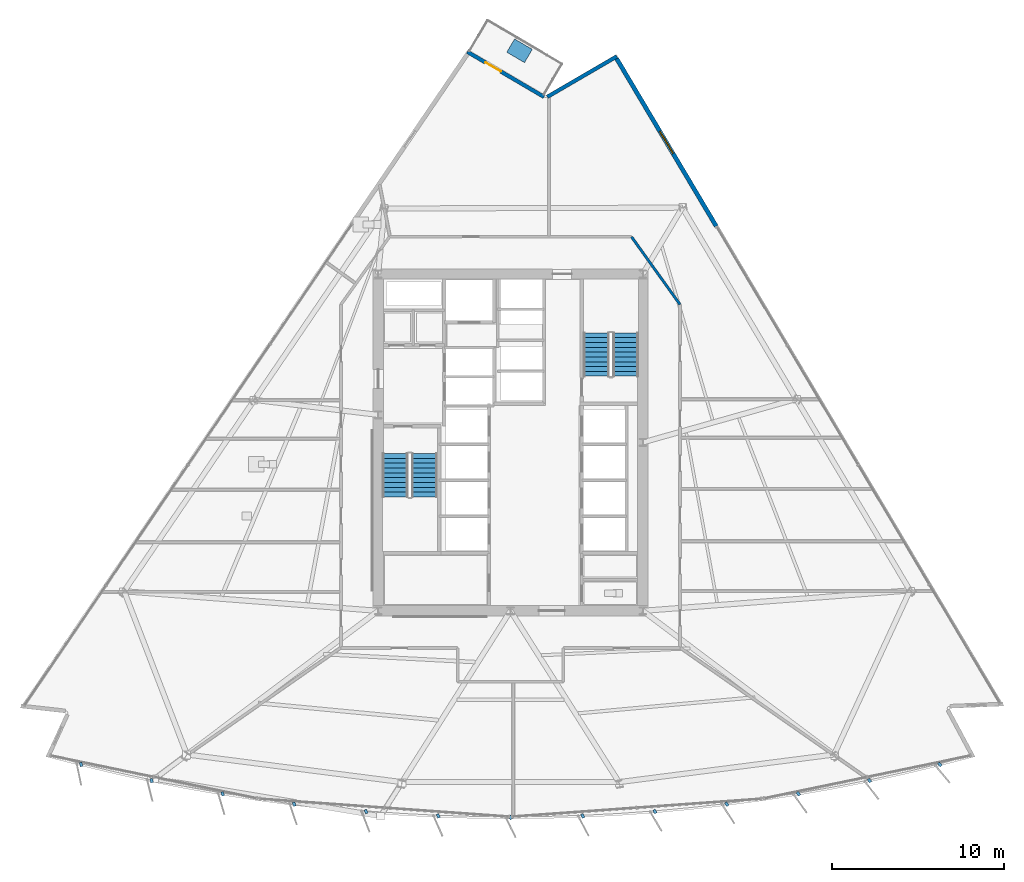
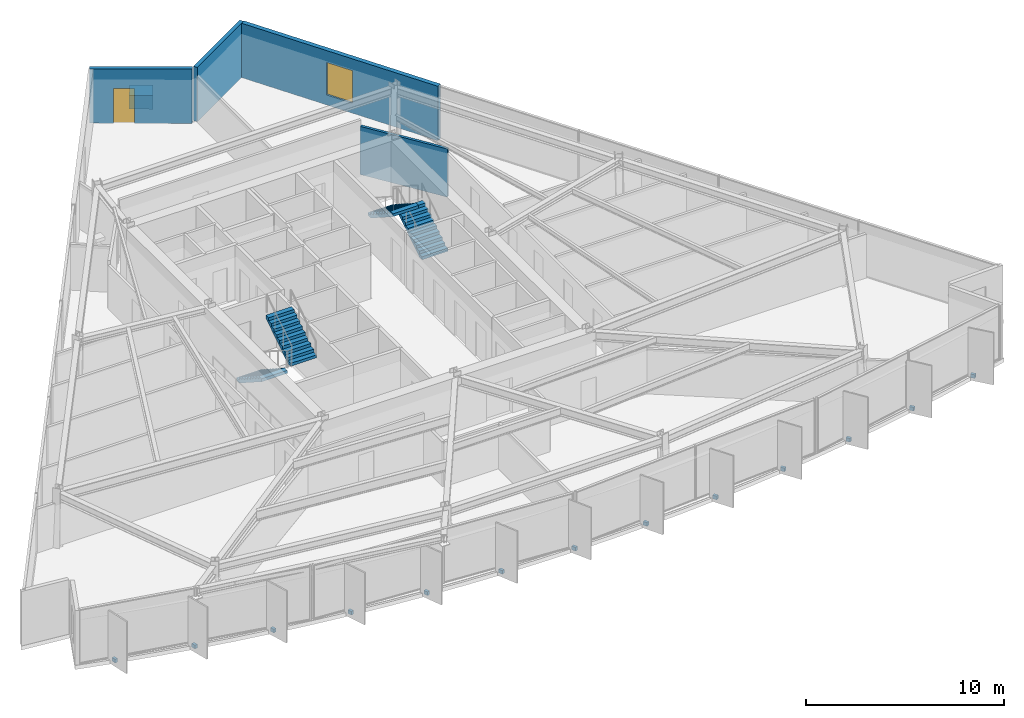
# One storey, part 10 of 15: 14 discrete accessories, 4 stair flights, 4 walls, 1 door, 1 window, 2 openings, 2 elements without a shape of their own.
"""IFC4 building model written with IfcOpenShell, lengths in metres."""

from ifc_helpers import new_model, si_unit, direction, frame, frame_2d, origin, origin_2d, place, context, subcontext, project, spatial, polyline, rectangle, outline, extrude, material, layer, layer_set, type_object, element, fill, aggregate, save


model = new_model("IFC4")

# Units and contexts
model_context = context("Model", 3, precision=1e-05, world=origin(), true_north=direction((0.0, 1.0)))
body_context = subcontext(model_context, "Body", "Model", "MODEL_VIEW")
ifc_project = project(units=[si_unit("LENGTHUNIT", "METRE"), si_unit("AREAUNIT", "SQUARE_METRE"), si_unit("VOLUMEUNIT", "CUBIC_METRE"), si_unit("PLANEANGLEUNIT", "RADIAN"), si_unit("MASSUNIT", "GRAM", prefix="KILO")], contexts=[model_context])

# Site, building, storey
site_placement = place(None, origin())
site = spatial("IfcSite", under=ifc_project, at=site_placement, CompositionType="ELEMENT")
building_placement = place(site_placement, origin())
building = spatial("IfcBuilding", under=site, at=building_placement, Name="Savorim Split Tower", CompositionType="ELEMENT")
storey_placement = place(building_placement, frame((0.0, 0.0, 100.5)))
storey = spatial("IfcBuildingStorey", under=building, at=storey_placement, Name="L26", CompositionType="ELEMENT", Elevation=100.5)

# Wall
ifc_material_1 = material(Name="Precast concrete C40/50", Category="concrete")
ifc_layer_1 = layer(ifc_material_1, 0.219970703125)
ifc_layer_set_1 = layer_set([ifc_layer_1], Name="WAL-EXT-CRN220")
wall_type_1 = type_object("IfcWallType", Name="WAL-EXT-CRN220", PredefinedType="SOLIDWALL", material=ifc_layer_set_1)
wall_1_placement = place(storey_placement, frame((2.141845703125, 20.502197265625, 0.0), z_axis=(0.0, 0.0, 1.0), x_axis=(0.863981097269, 0.503524243272, 0.0)))
element("IfcWall", 1, at=wall_1_placement, inside=storey, type_object=wall_type_1, Name="L26 Notched Corner Facade Wall NE1", PredefinedType="SOLIDWALL", context=body_context, shape_type="SweptSolid", body=[
    extrude(rectangle(XDim=4.684326171875, YDim=0.219970703125, at=frame_2d((2.34228515625, 0.0))), origin(), (0.0, 0.0, 1.0), 3.35009765625),
])

# Wall, opening, door
wall_2_placement = place(storey_placement, frame((-2.509521484375, 23.12451171875, 0.0), z_axis=(0.0, 0.0, 1.0), x_axis=(0.862103972413, -0.506731428618, 0.0)))
wall_2 = element("IfcWall", 2, at=wall_2_placement, inside=storey, type_object=wall_type_1, Name="L26 Notched Corner Facade Wall N", PredefinedType="SOLIDWALL", context=body_context, shape_type="SweptSolid", body=[
    extrude(rectangle(XDim=5.174560546875, YDim=0.219970703125, at=frame_2d((2.58740234375, 0.0))), origin(), (0.0, 0.0, 1.0), 3.35009765625),
])
opening_1_placement = place(wall_2_placement, frame((1.21240234375, 0.0, 0.0)))
opening_1 = element("IfcOpeningElement", 3, at=opening_1_placement, cuts=wall_2, Name="Opening DB-01", PredefinedType="OPENING", context=body_context, shape_type="SweptSolid", body=[
    extrude(rectangle(XDim=1.050048828125, YDim=2.14990234375, at=frame_2d((0.52490234375, 1.074951171875))), frame((0.0, 0.119873046875, 0.0), z_axis=(0.0, -1.0, 0.0), x_axis=(1.0, 0.0, 0.0)), (0.0, 0.0, 1.0), 0.239990234375),
])
ifc_material_2 = material(Name="Charcoal Anodised Aluminium", Category="aluminium")
door_type = type_object("IfcDoorType", Name="DOR-BAL-1050", OperationType="NOTDEFINED", PredefinedType="DOOR", material=ifc_material_2)
door_placement = place(opening_1_placement, origin())
door = element("IfcDoor", 4, at=door_placement, inside=storey, type_object=door_type, Name="DOR-L26-TBAL-N - L26 Planted Tree Balcony Door N", OperationType="SINGLE_SWING_LEFT", OverallHeight=2.14990234375, OverallWidth=1.050048828125, PredefinedType="DOOR", context=body_context, shape_type="SweptSolid", body=[
    extrude(rectangle(XDim=1.050048828125, YDim=2.14990234375, at=frame_2d((0.52490234375, 1.074951171875))), frame((0.0, 0.02490234375, 0.0), z_axis=(0.0, -1.0, 0.0), x_axis=(1.0, 0.0, 0.0)), (0.0, 0.0, 1.0), 0.050048828125),
])
fill(opening_1, door)

# Wall, opening, window
ifc_layer_2 = layer(ifc_material_1, 0.25)
ifc_layer_set_2 = layer_set([ifc_layer_2], Name="WAL-EXT-SPN250")
wall_type_2 = type_object("IfcWallType", Name="WAL-EXT-SPN250", PredefinedType="SOLIDWALL", material=ifc_layer_set_2)
wall_3_placement = place(storey_placement, frame((6.17236328125, 22.734130859375, 0.0), z_axis=(0.0, 0.0, 1.0), x_axis=(0.511105869751, -0.859517765905, 0.0)))
wall_3 = element("IfcWall", 5, at=wall_3_placement, inside=storey, type_object=wall_type_2, Name="L26 East Operable Window Pier", PredefinedType="SOLIDWALL", context=body_context, shape_type="SweptSolid", body=[
    extrude(rectangle(XDim=11.356689453125, YDim=0.25, at=frame_2d((5.67822265625, 0.0))), origin(), (0.0, 0.0, 1.0), 3.35009765625),
])
opening_2_placement = place(wall_3_placement, frame((4.928466796875, 0.0, 0.6201171875)))
opening_2 = element("IfcOpeningElement", 6, at=opening_2_placement, cuts=wall_3, Name="Opening WN-06", PredefinedType="OPENING", context=body_context, shape_type="SweptSolid", body=[
    extrude(rectangle(XDim=1.5, YDim=2.0, at=frame_2d((0.75, 1.0))), frame((0.0, 0.135009765625, 0.0), z_axis=(0.0, -1.0, 0.0), x_axis=(1.0, 0.0, 0.0)), (0.0, 0.0, 1.0), 0.27001953125),
])
ifc_material_3 = material(Name="Low-E Operable Double Glazing", Category="glass")
window_type = type_object("IfcWindowType", Name="WIN-TWR-1500x2000", PartitioningType="SINGLE_PANEL", PredefinedType="WINDOW", material=ifc_material_3)
window_placement = place(opening_2_placement, origin())
window = element("IfcWindow", 7, at=window_placement, inside=storey, type_object=window_type, Name="L26 East Operable Ventilation Window", OverallHeight=2.0, OverallWidth=1.5, PartitioningType="SINGLE_PANEL", PredefinedType="WINDOW", context=body_context, shape_type="SweptSolid", body=[
    extrude(rectangle(XDim=1.5, YDim=2.0, at=frame_2d((0.75, 1.0))), frame((0.0, 0.030029296875, 0.0), z_axis=(0.0, -1.0, 0.0), x_axis=(1.0, 0.0, 0.0)), (0.0, 0.0, 1.0), 0.06005859375),
])
fill(opening_2, window)

# Wall
ifc_material_4 = material(Name="Acoustic Gypsum Partition Board")
ifc_layer_3 = layer(ifc_material_4, 0.14990234375)
ifc_layer_set_3 = layer_set([ifc_layer_3], Name="WAL-PAR-150")
wall_type_3 = type_object("IfcWallType", Name="WAL-PAR-150", PredefinedType="PARTITIONING", material=ifc_layer_set_3)
wall_4_placement = place(storey_placement, frame((7.041015625, 12.360107421875, 0.0), z_axis=(0.0, 0.0, 1.0), x_axis=(0.582449511476, -0.812866881218, 0.0)))
element("IfcWall", 8, at=wall_4_placement, inside=storey, type_object=wall_type_3, Name="L26 Partition W-L26-COR-04", PredefinedType="PARTITIONING", context=body_context, shape_type="SweptSolid", body=[
    extrude(rectangle(XDim=4.840087890625, YDim=0.14990234375, at=frame_2d((2.419921875, 0.0))), origin(), (0.0, 0.0, 1.0), 2.965087890625),
])

# Stair, stair flights
ifc_material_5 = material(Name="Concrete C50/60", Category="concrete")
stair_type = type_object("IfcStairType", Name="STR-DOG-3600", PredefinedType="HALF_TURN_STAIR", material=ifc_material_5)
stair_1_placement = place(storey_placement, origin())
stair_1 = element("IfcStair", 9, at=stair_1_placement, inside=storey, type_object=stair_type, Name="L26 Core Protected Exit Stair ST-1", PredefinedType="HALF_TURN_STAIR")
stair_flight_type = type_object("IfcStairFlightType", Name="SFL-DOG-3600", PredefinedType="STRAIGHT", material=ifc_material_5)
stair_flight_1_placement = place(storey_placement, frame((-6.699951171875, -0.25, 0.0), z_axis=(0.0, 0.0, 1.0), x_axis=(0.0, -1.0, 0.0)))
stair_flight_1 = element("IfcStairFlight", 10, at=stair_flight_1_placement, type_object=stair_flight_type, Name="ST-1 flight 1", NumberOfRisers=10, NumberOfTreads=9, PredefinedType="STRAIGHT", RiserHeight=0.18, TreadLength=0.28, context=body_context, shape_type="SweptSolid", body=[
    extrude(outline(polyline([(0.0, 0.0), (0.0, 0.179931640625), (0.280029296875, 0.179931640625), (0.280029296875, 0.360107421875), (0.56005859375, 0.360107421875), (0.56005859375, 0.5400390625), (0.840087890625, 0.5400390625), (0.840087890625, 0.719970703125), (1.1201171875, 0.719970703125), (1.1201171875, 0.89990234375), (1.39990234375, 0.89990234375), (1.39990234375, 1.080078125), (1.679931640625, 1.080078125), (1.679931640625, 1.260009765625), (1.9599609375, 1.260009765625), (1.9599609375, 1.43994140625), (2.239990234375, 1.43994140625), (2.239990234375, 1.6201171875), (2.52001953125, 1.6201171875), (2.52001953125, 1.800048828125), (2.52001953125, 1.44189453125), (0.277099609375, 0.0), (0.0, 0.0)])), frame((0.0, 0.75, 0.0), z_axis=(0.0, -1.0, 0.0), x_axis=(1.0, 0.0, 0.0)), (0.0, 0.0, 1.0), 1.5),
])
stair_flight_2_placement = place(storey_placement, frame((-5.0, -2.77001953125, 1.800048828125), z_axis=(0.0, 0.0, 1.0), x_axis=(0.0, 1.0, 0.0)))
stair_flight_2 = element("IfcStairFlight", 11, at=stair_flight_2_placement, type_object=stair_flight_type, Name="ST-1 flight 2", NumberOfRisers=10, NumberOfTreads=9, PredefinedType="STRAIGHT", RiserHeight=0.18, TreadLength=0.28, context=body_context, shape_type="SweptSolid", body=[
    extrude(outline(polyline([(0.0, 0.0), (0.0, 0.179931640625), (0.280029296875, 0.179931640625), (0.280029296875, 0.360107421875), (0.56005859375, 0.360107421875), (0.56005859375, 0.5400390625), (0.840087890625, 0.5400390625), (0.840087890625, 0.719970703125), (1.1201171875, 0.719970703125), (1.1201171875, 0.89990234375), (1.39990234375, 0.89990234375), (1.39990234375, 1.080078125), (1.679931640625, 1.080078125), (1.679931640625, 1.260009765625), (1.9599609375, 1.260009765625), (1.9599609375, 1.43994140625), (2.239990234375, 1.43994140625), (2.239990234375, 1.6201171875), (2.52001953125, 1.6201171875), (2.52001953125, 1.800048828125), (2.52001953125, 1.44189453125), (0.277099609375, 0.0), (0.0, 0.0)])), frame((0.0, 0.75, 0.0), z_axis=(0.0, -1.0, 0.0), x_axis=(1.0, 0.0, 0.0)), (0.0, 0.0, 1.0), 1.5),
])
aggregate(stair_1, [stair_flight_1, stair_flight_2])

stair_2_placement = place(storey_placement, origin())
stair_2 = element("IfcStair", 12, at=stair_2_placement, inside=storey, type_object=stair_type, Name="L26 Core Protected Exit Stair ST-2", PredefinedType="HALF_TURN_STAIR")
stair_flight_3_placement = place(storey_placement, frame((6.699951171875, 4.25, 0.0), z_axis=(0.0, 0.0, 1.0), x_axis=(0.0, 1.0, 0.0)))
stair_flight_3 = element("IfcStairFlight", 13, at=stair_flight_3_placement, type_object=stair_flight_type, Name="ST-2 flight 1", NumberOfRisers=10, NumberOfTreads=9, PredefinedType="STRAIGHT", RiserHeight=0.18, TreadLength=0.28, context=body_context, shape_type="SweptSolid", body=[
    extrude(outline(polyline([(0.0, 0.0), (0.0, 0.179931640625), (0.280029296875, 0.179931640625), (0.280029296875, 0.360107421875), (0.56005859375, 0.360107421875), (0.56005859375, 0.5400390625), (0.840087890625, 0.5400390625), (0.840087890625, 0.719970703125), (1.1201171875, 0.719970703125), (1.1201171875, 0.89990234375), (1.39990234375, 0.89990234375), (1.39990234375, 1.080078125), (1.679931640625, 1.080078125), (1.679931640625, 1.260009765625), (1.9599609375, 1.260009765625), (1.9599609375, 1.43994140625), (2.239990234375, 1.43994140625), (2.239990234375, 1.6201171875), (2.52001953125, 1.6201171875), (2.52001953125, 1.800048828125), (2.52001953125, 1.44189453125), (0.277099609375, 0.0), (0.0, 0.0)])), frame((0.0, 0.75, 0.0), z_axis=(0.0, -1.0, 0.0), x_axis=(1.0, 0.0, 0.0)), (0.0, 0.0, 1.0), 1.5),
])
stair_flight_4_placement = place(storey_placement, frame((5.0, 6.77001953125, 1.800048828125), z_axis=(0.0, 0.0, 1.0), x_axis=(0.0, -1.0, 0.0)))
stair_flight_4 = element("IfcStairFlight", 14, at=stair_flight_4_placement, type_object=stair_flight_type, Name="ST-2 flight 2", NumberOfRisers=10, NumberOfTreads=9, PredefinedType="STRAIGHT", RiserHeight=0.18, TreadLength=0.28, context=body_context, shape_type="SweptSolid", body=[
    extrude(outline(polyline([(0.0, 0.0), (0.0, 0.179931640625), (0.280029296875, 0.179931640625), (0.280029296875, 0.360107421875), (0.56005859375, 0.360107421875), (0.56005859375, 0.5400390625), (0.840087890625, 0.5400390625), (0.840087890625, 0.719970703125), (1.1201171875, 0.719970703125), (1.1201171875, 0.89990234375), (1.39990234375, 0.89990234375), (1.39990234375, 1.080078125), (1.679931640625, 1.080078125), (1.679931640625, 1.260009765625), (1.9599609375, 1.260009765625), (1.9599609375, 1.43994140625), (2.239990234375, 1.43994140625), (2.239990234375, 1.6201171875), (2.52001953125, 1.6201171875), (2.52001953125, 1.800048828125), (2.52001953125, 1.44189453125), (0.277099609375, 0.0), (0.0, 0.0)])), frame((0.0, 0.75, 0.0), z_axis=(0.0, -1.0, 0.0), x_axis=(1.0, 0.0, 0.0)), (0.0, 0.0, 1.0), 1.5),
])
aggregate(stair_2, [stair_flight_3, stair_flight_4])

# Discrete accessories
ifc_material_6 = material(Name="Steel S355", Category="steel")
discrete_accessory_type_1 = type_object("IfcDiscreteAccessoryType", Name="ACC-BRK-FIN", PredefinedType="BRACKET", material=ifc_material_6)
for number, where, z_axis, x_axis, name in (
    (15, (-24.9814453125, -18.338134765625, -0.18994140625), (0.0, 0.0, 1.0), (0.206721626106, -0.978399800337, 0.0), "L26 Fin Slab-Edge Cleat Bracket 01"),
    (16, (-20.882080078125, -19.276611328125, -0.18994140625), (0.0, 0.0, 1.0), (0.246581250663, -0.969122121727, 0.0), "L26 Fin Slab-Edge Cleat Bracket 02"),
    (17, (-16.747802734375, -20.046875, -0.18994140625), (0.0, 0.0, 1.0), (0.286026212504, -0.958221793616, 0.0), "L26 Fin Slab-Edge Cleat Bracket 03"),
    (18, (-12.58544921875, -20.647216796875, -0.18994140625), (0.0, 0.0, 1.0), (0.324993810493, -0.945716143005, 0.0), "L26 Fin Slab-Edge Cleat Bracket 04"),
    (19, (-8.402099609375, -21.07666015625, -0.18994140625), (0.0, 0.0, 1.0), (0.363415461732, -0.931627179817, 0.0), "L26 Fin Slab-Edge Cleat Bracket 05"),
    (20, (-4.20458984375, -21.334716796875, -0.18994140625), (0.0, 0.0, 1.0), (0.401230091723, -0.915977299662, 0.0), "L26 Fin Slab-Edge Cleat Bracket 06"),
    (21, (0.0, -21.4208984375, -0.18994140625), (0.0, 0.0, 1.0), (0.438371146789, -0.898794046299, 0.0), "L26 Fin Slab-Edge Cleat Bracket 07"),
    (22, (4.20458984375, -21.334716796875, -0.18994140625), (0.0, 0.0, 1.0), (0.474778051978, -0.880105562623, 0.0), "L26 Fin Slab-Edge Cleat Bracket 08"),
    (23, (8.402099609375, -21.07666015625, -0.18994140625), (0.0, 0.0, 1.0), (0.510391336723, -0.859942255851, 0.0), "L26 Fin Slab-Edge Cleat Bracket 09"),
    (24, (12.58544921875, -20.647216796875, -0.18994140625), (0.0, 0.0, 1.0), (0.545148321708, -0.838339613366, 0.0), "L26 Fin Slab-Edge Cleat Bracket 10"),
    (25, (16.747802734375, -20.046875, -0.18994140625), (0.0, 0.0, 1.0), (0.578993757737, -0.815331974414, 0.0), "L26 Fin Slab-Edge Cleat Bracket 11"),
    (26, (20.882080078125, -19.276611328125, -0.18994140625), (0.0, 0.0, 1.0), (0.611868076908, -0.790959832394, 0.0), "L26 Fin Slab-Edge Cleat Bracket 12"),
    (27, (24.9814453125, -18.338134765625, -0.18994140625), (0.0, 0.0, 1.0), (0.643719022682, -0.765261928909, 0.0), "L26 Fin Slab-Edge Cleat Bracket 13"),
):
    element("IfcDiscreteAccessory", number, at=place(storey_placement, frame(where, z_axis=z_axis, x_axis=x_axis)), inside=storey, type_object=discrete_accessory_type_1, Name=name, PredefinedType="BRACKET", context=body_context, shape_type="SweptSolid", body=[
        extrude(rectangle(XDim=0.239990234375, YDim=0.159912109375, at=origin_2d()), origin(), (0.0, 0.0, 1.0), 0.219970703125),
    ])
ifc_material_7 = material(Name="Architectural Precast Planter Concrete C40/50", Category="concrete")
discrete_accessory_type_2 = type_object("IfcDiscreteAccessoryType", Name="ACC-PLN-TREE", PredefinedType="USERDEFINED", material=ifc_material_7)
discrete_accessory_placement = place(storey_placement, frame((0.526611328125, 23.18408203125, 0.0), z_axis=(0.0, 0.0, 1.0), x_axis=(-0.862122155817, 0.506700491858, 0.0)))
element("IfcDiscreteAccessory", 28, at=discrete_accessory_placement, inside=storey, type_object=discrete_accessory_type_2, Name="L26 Balcony Precast Tree Planter N", ObjectType="PLANTER", PredefinedType="USERDEFINED", context=body_context, shape_type="SweptSolid", body=[
    extrude(rectangle(XDim=1.199951171875, YDim=0.89990234375, at=origin_2d()), origin(), (0.0, 0.0, 1.0), 0.85009765625),
])

save(model, "model.ifc")
